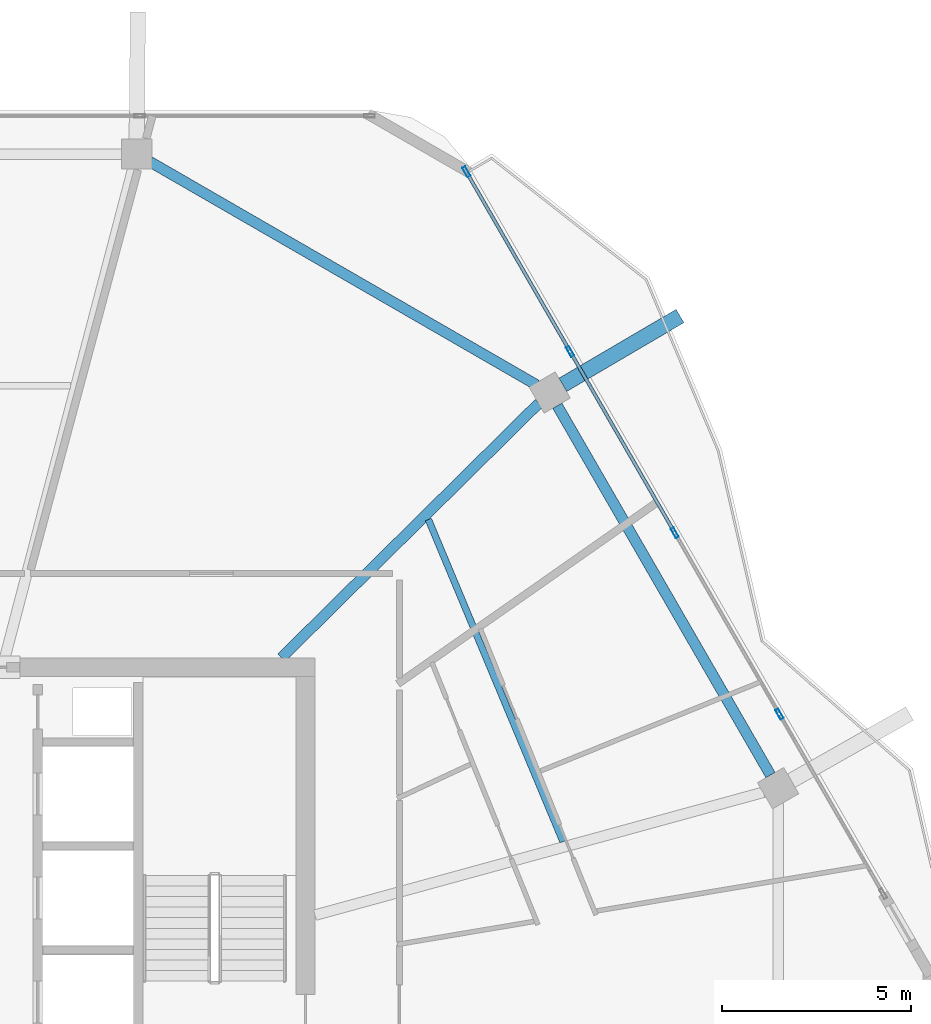
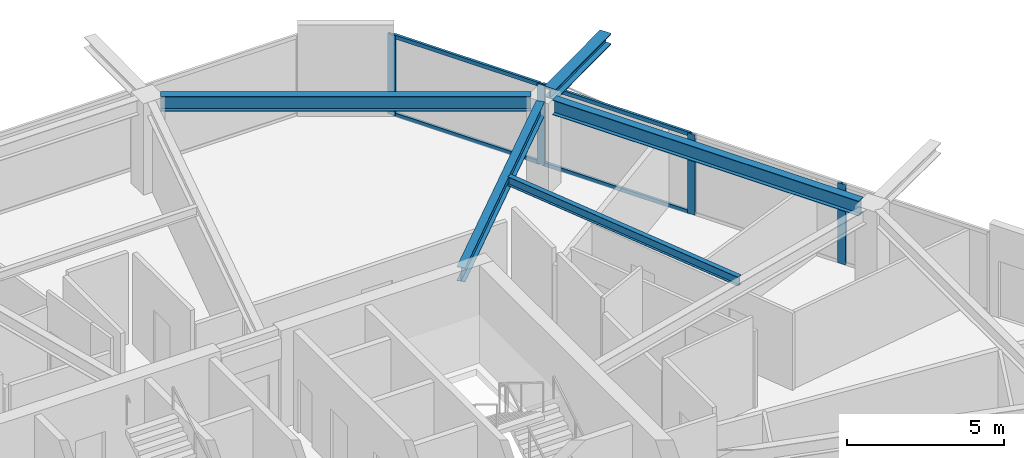
# One storey, part 10 of 21: 8 members, 5 beams, 1 element without a shape of its own.
"""IFC4 building model written with IfcOpenShell, lengths in metres."""

from ifc_helpers import new_model, si_unit, direction, frame, origin, origin_2d, place, context, subcontext, project, spatial, hollow_rectangle, i_section, extrude, material, material_profile, profile_set, type_object, element, aggregate, save


model = new_model("IFC4")

# Units and contexts
model_context = context("Model", 3, precision=1e-05, world=origin(), true_north=direction((0.0, 1.0)))
body_context = subcontext(model_context, "Body", "Model", "MODEL_VIEW")
ifc_project = project(units=[si_unit("LENGTHUNIT", "METRE"), si_unit("AREAUNIT", "SQUARE_METRE"), si_unit("VOLUMEUNIT", "CUBIC_METRE"), si_unit("PLANEANGLEUNIT", "RADIAN"), si_unit("MASSUNIT", "GRAM", prefix="KILO")], contexts=[model_context])

# Site, building, storey
site_placement = place(None, origin())
site = spatial("IfcSite", under=ifc_project, at=site_placement, CompositionType="ELEMENT")
building_placement = place(site_placement, origin())
building = spatial("IfcBuilding", under=site, at=building_placement, Name="Zuhravey Tower", CompositionType="ELEMENT")
storey_placement = place(building_placement, frame((0.0, 0.0, 319.60009765625)))
storey = spatial("IfcBuildingStorey", under=building, at=storey_placement, Name="L81", CompositionType="ELEMENT", Elevation=319.60009765625)

# Curtain wall, members
ifc_material_1 = material(Name="Thermally broken anodised aluminium", Category="aluminium")
curtain_wall_type = type_object("IfcCurtainWallType", Name="Zone 3-4 High-Rise Curtain Wall CW4", PredefinedType="NOTDEFINED", material=ifc_material_1)
curtain_wall_placement = place(storey_placement, origin())
curtain_wall = element("IfcCurtainWall", 1, at=curtain_wall_placement, inside=storey, type_object=curtain_wall_type, Name="L81 CW4 CW-L81-F1-1", PredefinedType="NOTDEFINED")
ifc_material_2 = material(Name="Anodised aluminium", Category="aluminium")
ifc_material_profile_1 = material_profile(ifc_material_2, hollow_rectangle(XDim=0.090087890625, YDim=0.284912109375, WallThickness=0.0048828125, at=origin_2d()), Name="ALU-RHS-90x285x5")
ifc_profile_set_1 = profile_set([ifc_material_profile_1], Name="Anodised aluminium")
member_type_1 = type_object("IfcMemberType", Name="Curtain-Wall Mullion 90x180", PredefinedType="MULLION", material=ifc_profile_set_1)
member_1_placement = place(storey_placement, frame((50.751708984375, 54.59765625, 0.0), z_axis=(0.0, 0.0, 1.0), x_axis=(0.866025067677, 0.500000582154, 0.0)))
member_1 = element("IfcMember", 2, at=member_1_placement, type_object=member_type_1, Name="CW4 mullion 1", PredefinedType="MULLION", context=body_context, shape_type="SweptSolid", body=[
    extrude(hollow_rectangle(XDim=0.090087890625, YDim=0.284912109375, WallThickness=0.0048828125, at=origin_2d()), origin(), (0.0, 0.0, 1.0), 3.121826171875),
])
member_2_placement = place(storey_placement, frame((53.4951171875, 49.845703125, 0.0), z_axis=(0.0, 0.0, 1.0), x_axis=(0.866025067677, 0.500000582154, 0.0)))
member_2 = element("IfcMember", 3, at=member_2_placement, type_object=member_type_1, Name="CW4 mullion 2", PredefinedType="MULLION", context=body_context, shape_type="SweptSolid", body=[
    extrude(hollow_rectangle(XDim=0.090087890625, YDim=0.284912109375, WallThickness=0.0048828125, at=origin_2d()), origin(), (0.0, 0.0, 1.0), 3.121826171875),
])
member_3_placement = place(storey_placement, frame((56.26123046875, 45.0546875, 0.0), z_axis=(0.0, 0.0, 1.0), x_axis=(0.866025067677, 0.500000582154, 0.0)))
member_3 = element("IfcMember", 4, at=member_3_placement, type_object=member_type_1, Name="CW4 mullion 3", PredefinedType="MULLION", context=body_context, shape_type="SweptSolid", body=[
    extrude(hollow_rectangle(XDim=0.090087890625, YDim=0.284912109375, WallThickness=0.0048828125, at=origin_2d()), origin(), (0.0, 0.0, 1.0), 3.121826171875),
])
member_4_placement = place(storey_placement, frame((59.02734375, 40.263671875, 0.0), z_axis=(0.0, 0.0, 1.0), x_axis=(0.866025067677, 0.500000582154, 0.0)))
member_4 = element("IfcMember", 5, at=member_4_placement, type_object=member_type_1, Name="CW4 mullion 4", PredefinedType="MULLION", context=body_context, shape_type="SweptSolid", body=[
    extrude(hollow_rectangle(XDim=0.090087890625, YDim=0.284912109375, WallThickness=0.0048828125, at=origin_2d()), origin(), (0.0, 0.0, 1.0), 3.121826171875),
])
ifc_material_profile_2 = material_profile(ifc_material_2, hollow_rectangle(XDim=0.090087890625, YDim=0.14990234375, WallThickness=0.0048828125, at=origin_2d()), Name="ALU-RHS-90x150x5")
ifc_profile_set_2 = profile_set([ifc_material_profile_2], Name="Anodised aluminium")
member_type_2 = type_object("IfcMemberType", Name="Curtain-Wall Transom 90x150", PredefinedType="USERDEFINED", material=ifc_profile_set_2)
member_5_placement = place(storey_placement, frame((50.774169921875, 54.55859375, 0.044921875), z_axis=(0.499987416453, -0.866032668777, 0.0), x_axis=(0.866032668777, 0.499987416453, 0.0)))
member_5 = element("IfcMember", 6, at=member_5_placement, type_object=member_type_2, Name="CW4 transom 1.1", ObjectType="TRANSOM", PredefinedType="USERDEFINED", context=body_context, shape_type="SweptSolid", body=[
    extrude(hollow_rectangle(XDim=0.090087890625, YDim=0.14990234375, WallThickness=0.0048828125, at=origin_2d()), origin(), (0.0, 0.0, 1.0), 5.397216796875),
])
member_6_placement = place(storey_placement, frame((50.774169921875, 54.55859375, 3.076904296875), z_axis=(0.499987416453, -0.866032668777, 0.0), x_axis=(0.866032668777, 0.499987416453, 0.0)))
member_6 = element("IfcMember", 7, at=member_6_placement, type_object=member_type_2, Name="CW4 transom 1.2", ObjectType="TRANSOM", PredefinedType="USERDEFINED", context=body_context, shape_type="SweptSolid", body=[
    extrude(hollow_rectangle(XDim=0.090087890625, YDim=0.14990234375, WallThickness=0.0048828125, at=origin_2d()), origin(), (0.0, 0.0, 1.0), 5.397216796875),
])
member_7_placement = place(storey_placement, frame((53.517578125, 49.806640625, 0.044921875), z_axis=(0.500008513936, -0.866020488205, 0.0), x_axis=(0.866020488205, 0.500008513936, 0.0)))
member_7 = element("IfcMember", 8, at=member_7_placement, type_object=member_type_2, Name="CW4 transom 2.1", ObjectType="TRANSOM", PredefinedType="USERDEFINED", context=body_context, shape_type="SweptSolid", body=[
    extrude(hollow_rectangle(XDim=0.090087890625, YDim=0.14990234375, WallThickness=0.0048828125, at=origin_2d()), origin(), (0.0, 0.0, 1.0), 5.4423828125),
])
member_8_placement = place(storey_placement, frame((53.517578125, 49.806640625, 3.076904296875), z_axis=(0.500008513936, -0.866020488205, 0.0), x_axis=(0.866020488205, 0.500008513936, 0.0)))
member_8 = element("IfcMember", 9, at=member_8_placement, type_object=member_type_2, Name="CW4 transom 2.2", ObjectType="TRANSOM", PredefinedType="USERDEFINED", context=body_context, shape_type="SweptSolid", body=[
    extrude(hollow_rectangle(XDim=0.090087890625, YDim=0.14990234375, WallThickness=0.0048828125, at=origin_2d()), origin(), (0.0, 0.0, 1.0), 5.4423828125),
])
aggregate(curtain_wall, [member_1, member_2, member_3, member_4, member_5, member_6, member_7, member_8])

# Beams
ifc_material_3 = material(Name="Steel SM460", Category="steel")
ifc_material_profile_3 = material_profile(ifc_material_3, i_section(OverallWidth=0.406982421875, OverallDepth=0.427978515625, WebThickness=0.02001953125, FlangeThickness=0.034912109375, at=origin_2d()), Name="H-428x407x20x35")
ifc_profile_set_3 = profile_set([ifc_material_profile_3], Name="Steel SM460")
beam_type_1 = type_object("IfcBeamType", Name="Exoskeleton Node Tie Beam H428x407", PredefinedType="BEAM", material=ifc_profile_set_3)
beam_1_placement = place(storey_placement, frame((53.30322265625, 48.96630859375, 3.3359375), z_axis=(0.862431914181, 0.506173086407, 0.0), x_axis=(-0.506173086407, 0.862431914181, 0.0)))
element("IfcBeam", 10, at=beam_1_placement, inside=storey, type_object=beam_type_1, Name="L81 Exoskeleton Node Tie NT1-02", PredefinedType="BEAM", context=body_context, shape_type="SweptSolid", body=[
    extrude(i_section(OverallWidth=0.406982421875, OverallDepth=0.427978515625, WebThickness=0.02001953125, FlangeThickness=0.034912109375, at=origin_2d()), origin(), (0.0, 0.0, 1.0), 3.5908203125),
])
ifc_material_4 = material(Name="Steel SM355", Category="steel")
ifc_material_profile_4 = material_profile(ifc_material_4, i_section(OverallWidth=0.280029296875, OverallDepth=0.580078125, WebThickness=0.011962890625, FlangeThickness=0.01904296875, at=origin_2d()), Name="H-580x280x12x19")
ifc_profile_set_4 = profile_set([ifc_material_profile_4], Name="Steel SM355")
beam_type_2 = type_object("IfcBeamType", Name="Perimeter Ring Beam H580x280", PredefinedType="BEAM", material=ifc_profile_set_4)
beam_2_placement = place(storey_placement, frame((58.7919921875, 38.6513671875, 3.260009765625), z_axis=(-0.500006198144, 0.866021825255, 0.0), x_axis=(-0.866021825255, -0.500006198144, 0.0)))
element("IfcBeam", 11, at=beam_2_placement, inside=storey, type_object=beam_type_2, Name="L81 PB4 BM-L81-PB-01", PredefinedType="BEAM", context=body_context, shape_type="SweptSolid", body=[
    extrude(i_section(OverallWidth=0.280029296875, OverallDepth=0.580078125, WebThickness=0.011962890625, FlangeThickness=0.01904296875, at=origin_2d()), origin(), (0.0, 0.0, 1.0), 11.271240234375),
])
beam_3_placement = place(storey_placement, frame((52.605712890625, 48.963134765625, 3.260009765625), z_axis=(-0.866023977509, 0.500002470373, 0.0), x_axis=(-0.500002470373, -0.866023977509, 0.0)))
element("IfcBeam", 12, at=beam_3_placement, inside=storey, type_object=beam_type_2, Name="L81 PB4 BM-L81-PB-02", PredefinedType="BEAM", context=body_context, shape_type="SweptSolid", body=[
    extrude(i_section(OverallWidth=0.280029296875, OverallDepth=0.580078125, WebThickness=0.011962890625, FlangeThickness=0.01904296875, at=origin_2d()), origin(), (0.0, 0.0, 1.0), 11.798828125),
])
ifc_material_profile_5 = material_profile(ifc_material_4, i_section(OverallWidth=0.280029296875, OverallDepth=0.550048828125, WebThickness=0.010986328125, FlangeThickness=0.01806640625, at=origin_2d()), Name="H-550x280x11x18")
ifc_profile_set_5 = profile_set([ifc_material_profile_5], Name="Steel SM355")
beam_type_3 = type_object("IfcBeamType", Name="Radial Primary Girder H550x280", PredefinedType="BEAM", material=ifc_profile_set_5)
beam_4_placement = place(storey_placement, frame((45.865234375, 41.7529296875, 3.27490234375), z_axis=(0.711153035666, 0.703037239314, 0.0), x_axis=(-0.703037239314, 0.711153035666, 0.0)))
element("IfcBeam", 13, at=beam_4_placement, inside=storey, type_object=beam_type_3, Name="L81 RG4 BM-L81-RAD-02", PredefinedType="BEAM", context=body_context, shape_type="SweptSolid", body=[
    extrude(i_section(OverallWidth=0.280029296875, OverallDepth=0.550048828125, WebThickness=0.010986328125, FlangeThickness=0.01806640625, at=origin_2d()), origin(), (0.0, 0.0, 1.0), 9.566162109375),
])
ifc_material_profile_6 = material_profile(ifc_material_4, i_section(OverallWidth=0.175048828125, OverallDepth=0.35009765625, WebThickness=0.007080078125, FlangeThickness=0.010986328125, at=origin_2d()), Name="H-350x175x7x11")
ifc_profile_set_6 = profile_set([ifc_material_profile_6], Name="Steel SM355")
beam_type_4 = type_object("IfcBeamType", Name="Secondary Floor Joist H350x175", PredefinedType="JOIST", material=ifc_profile_set_6)
beam_5_placement = place(storey_placement, frame((53.307373046875, 36.891845703125, 3.375), z_axis=(-0.385657891576, 0.922641853953, 0.0), x_axis=(-0.922641853953, -0.385657891576, 0.0)))
element("IfcBeam", 14, at=beam_5_placement, inside=storey, type_object=beam_type_4, Name="L81 SJ3 BM-L81-SJ-01-1", PredefinedType="JOIST", context=body_context, shape_type="SweptSolid", body=[
    extrude(i_section(OverallWidth=0.175048828125, OverallDepth=0.35009765625, WebThickness=0.007080078125, FlangeThickness=0.010986328125, at=origin_2d()), origin(), (0.0, 0.0, 1.0), 9.226806640625),
])

save(model, "model.ifc")
